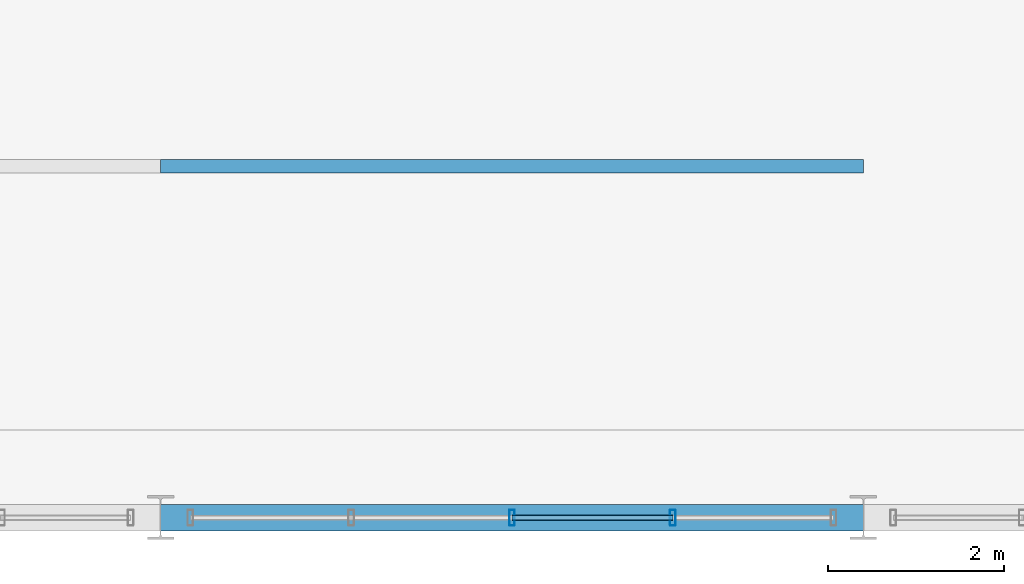
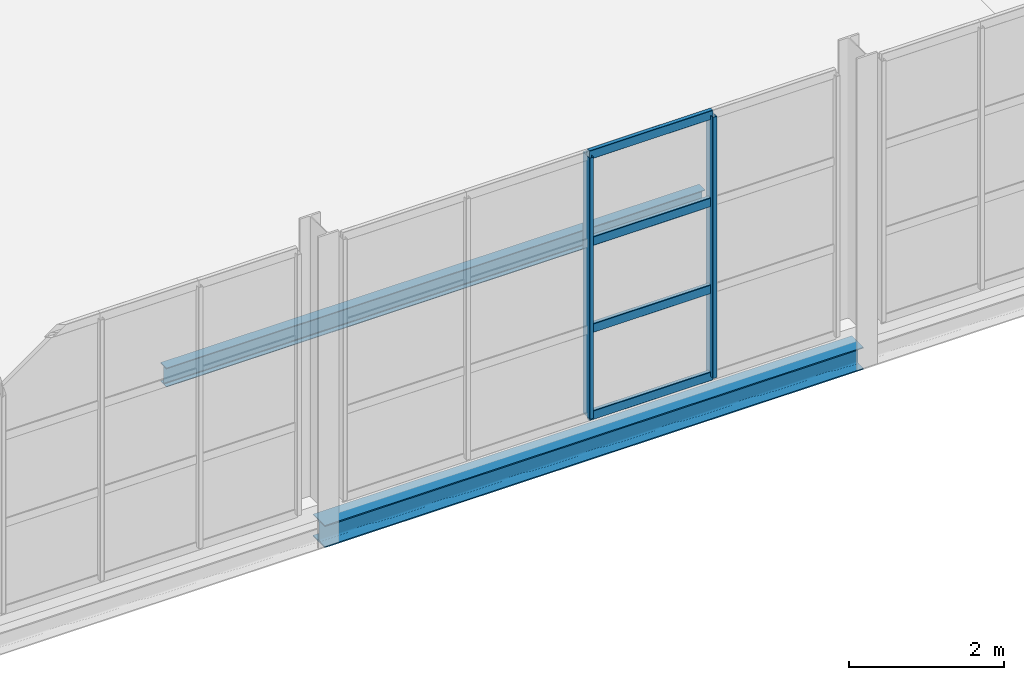
# One storey, part 104 of 153: 6 members, 2 beams, 1 element without a shape of its own.
"""IFC4 building model written with IfcOpenShell, lengths in metres."""

from ifc_helpers import new_model, si_unit, derived_unit, direction, frame, origin, origin_2d, place, context, subcontext, project, spatial, hollow_rectangle, i_section, extrude, material, material_profile, profile_set, type_object, element, aggregate, save


model = new_model("IFC4")

# Units and contexts
model_context = context("Model", 3, precision=1e-05, world=origin(), true_north=direction((0.0, 1.0)))
body_context = subcontext(model_context, "Body", "Model", "MODEL_VIEW")
ifc_project = project(units=[si_unit("LENGTHUNIT", "METRE"), si_unit("AREAUNIT", "SQUARE_METRE"), si_unit("VOLUMEUNIT", "CUBIC_METRE"), si_unit("PLANEANGLEUNIT", "RADIAN"), si_unit("MASSUNIT", "GRAM", prefix="KILO"), derived_unit("THERMALTRANSMITTANCEUNIT", [(si_unit("POWERUNIT", "WATT"), 1), (si_unit("LENGTHUNIT", "METRE"), -2), (si_unit("THERMODYNAMICTEMPERATUREUNIT", "KELVIN"), -1)])], contexts=[model_context])

# Site, building, storey
site_placement = place(None, origin())
site = spatial("IfcSite", under=ifc_project, at=site_placement, CompositionType="ELEMENT")
building_placement = place(site_placement, origin())
building = spatial("IfcBuilding", under=site, at=building_placement, Name="Keldorne Ridge Multi-Sports Centre", CompositionType="ELEMENT")
storey_placement = place(building_placement, frame((0.0, 0.0, 9.60009765625)))
storey = spatial("IfcBuildingStorey", under=building, at=storey_placement, Name="L02", CompositionType="ELEMENT", Elevation=9.60009765625)

# Beams
ifc_material_1 = material(Name="Steel S355", Category="steel")
ifc_material_profile_1 = material_profile(ifc_material_1, i_section(OverallWidth=0.14990234375, OverallDepth=0.300048828125, WebThickness=0.007080078125, FlangeThickness=0.0107421875, FilletRadius=0.014892578125, at=origin_2d()), Name="IPE 300")
ifc_profile_set_1 = profile_set([ifc_material_profile_1], Name="Steel S355")
beam_type_1 = type_object("IfcBeamType", Name="BM-J-02", PredefinedType="JOIST", material=ifc_profile_set_1)
beam_1_placement = place(storey_placement, frame((144.0, 10.0, -0.39013671875), z_axis=(1.0, 0.0, 0.0), x_axis=(0.0, 1.0, 0.0)))
element("IfcBeam", 1, at=beam_1_placement, inside=storey, type_object=beam_type_1, Name="L02 Stacked Courts beam 6.2", PredefinedType="JOIST", context=body_context, shape_type="SweptSolid", body=[
    extrude(i_section(OverallWidth=0.14990234375, OverallDepth=0.300048828125, WebThickness=0.007080078125, FlangeThickness=0.0107421875, FilletRadius=0.014892578125, at=origin_2d()), origin(), (0.0, 0.0, 1.0), 8.0),
])
ifc_material_profile_2 = material_profile(ifc_material_1, i_section(OverallWidth=0.300048828125, OverallDepth=0.35009765625, WebThickness=0.010009765625, FlangeThickness=0.017578125, FilletRadius=0.027099609375, at=origin_2d()), Name="HEA 360")
ifc_profile_set_2 = profile_set([ifc_material_profile_2], Name="Steel S355")
beam_type_2 = type_object("IfcBeamType", Name="BM-SP-03", PredefinedType="SPANDREL", material=ifc_profile_set_2)
beam_2_placement = place(storey_placement, frame((144.0, 6.0, -0.4150390625), z_axis=(1.0, 0.0, 0.0), x_axis=(0.0, 1.0, 0.0)))
element("IfcBeam", 2, at=beam_2_placement, inside=storey, type_object=beam_type_2, Name="L02 Stacked Courts beam 6.1", PredefinedType="SPANDREL", context=body_context, shape_type="SweptSolid", body=[
    extrude(i_section(OverallWidth=0.300048828125, OverallDepth=0.35009765625, WebThickness=0.010009765625, FlangeThickness=0.017578125, FilletRadius=0.027099609375, at=origin_2d()), origin(), (0.0, 0.0, 1.0), 8.0),
])

# Curtain wall, members
ifc_material_2 = material(Name="Anodized aluminium", Category="aluminium")
curtain_wall_type = type_object("IfcCurtainWallType", Name="CW-CW-08", PredefinedType="NOTDEFINED", material=ifc_material_2)
curtain_wall_placement = place(storey_placement, origin())
curtain_wall = element("IfcCurtainWall", 3, at=curtain_wall_placement, inside=storey, type_object=curtain_wall_type, Name="Upper Courts south curtain wall 120", PredefinedType="NOTDEFINED")
ifc_material_profile_3 = material_profile(ifc_material_2, hollow_rectangle(XDim=0.06494140625, YDim=0.179931640625, WallThickness=0.00439453125, InnerFilletRadius=0.00439453125, OuterFilletRadius=0.009033203125, at=origin_2d()), Name="ALU MULLION 180x65x4.5")
ifc_profile_set_3 = profile_set([ifc_material_profile_3], Name="Anodized aluminium")
member_type_1 = type_object("IfcMemberType", Name="MEM-ML-01", PredefinedType="MULLION", material=ifc_profile_set_3)
member_1_placement = place(storey_placement, frame((148.0, 6.0, 0.0), z_axis=(0.0, 0.0, 1.0), x_axis=(1.0, 0.0, 0.0)))
member_1 = element("IfcMember", 4, at=member_1_placement, type_object=member_type_1, Name="CW-120 vertical mullion 3", PredefinedType="MULLION", context=body_context, shape_type="SweptSolid", body=[
    extrude(hollow_rectangle(XDim=0.06494140625, YDim=0.179931640625, WallThickness=0.00439453125, InnerFilletRadius=0.00439453125, OuterFilletRadius=0.009033203125, at=origin_2d()), origin(), (0.0, 0.0, 1.0), 4.099853515625),
])
member_2_placement = place(storey_placement, frame((149.830078125, 6.0, 0.0), z_axis=(0.0, 0.0, 1.0), x_axis=(1.0, 0.0, 0.0)))
member_2 = element("IfcMember", 5, at=member_2_placement, type_object=member_type_1, Name="CW-120 vertical mullion 4", PredefinedType="MULLION", context=body_context, shape_type="SweptSolid", body=[
    extrude(hollow_rectangle(XDim=0.06494140625, YDim=0.179931640625, WallThickness=0.00439453125, InnerFilletRadius=0.00439453125, OuterFilletRadius=0.009033203125, at=origin_2d()), origin(), (0.0, 0.0, 1.0), 4.099853515625),
])
ifc_material_profile_4 = material_profile(ifc_material_2, hollow_rectangle(XDim=0.06494140625, YDim=0.139892578125, WallThickness=0.00439453125, InnerFilletRadius=0.00439453125, OuterFilletRadius=0.009033203125, at=origin_2d()), Name="ALU TRANSOM 140x65x4.5")
ifc_profile_set_4 = profile_set([ifc_material_profile_4], Name="Anodized aluminium")
member_type_2 = type_object("IfcMemberType", Name="MEM-TR-01", PredefinedType="USERDEFINED", material=ifc_profile_set_4)
member_3_placement = place(storey_placement, frame((148.0, 6.0, 0.0), z_axis=(1.0, 0.0, 0.0), x_axis=(0.0, 1.0, 0.0)))
member_3 = element("IfcMember", 6, at=member_3_placement, type_object=member_type_2, Name="CW-120 transom 3.1", ObjectType="TRANSOM", PredefinedType="USERDEFINED", context=body_context, shape_type="SweptSolid", body=[
    extrude(hollow_rectangle(XDim=0.06494140625, YDim=0.139892578125, WallThickness=0.00439453125, InnerFilletRadius=0.00439453125, OuterFilletRadius=0.009033203125, at=origin_2d()), origin(), (0.0, 0.0, 1.0), 1.830078125),
])
member_4_placement = place(storey_placement, frame((148.0, 6.0, 1.36669921875), z_axis=(1.0, 0.0, 0.0), x_axis=(0.0, 1.0, 0.0)))
member_4 = element("IfcMember", 7, at=member_4_placement, type_object=member_type_2, Name="CW-120 transom 3.2", ObjectType="TRANSOM", PredefinedType="USERDEFINED", context=body_context, shape_type="SweptSolid", body=[
    extrude(hollow_rectangle(XDim=0.06494140625, YDim=0.139892578125, WallThickness=0.00439453125, InnerFilletRadius=0.00439453125, OuterFilletRadius=0.009033203125, at=origin_2d()), origin(), (0.0, 0.0, 1.0), 1.830078125),
])
member_5_placement = place(storey_placement, frame((148.0, 6.0, 2.733154296875), z_axis=(1.0, 0.0, 0.0), x_axis=(0.0, 1.0, 0.0)))
member_5 = element("IfcMember", 8, at=member_5_placement, type_object=member_type_2, Name="CW-120 transom 3.3", ObjectType="TRANSOM", PredefinedType="USERDEFINED", context=body_context, shape_type="SweptSolid", body=[
    extrude(hollow_rectangle(XDim=0.06494140625, YDim=0.139892578125, WallThickness=0.00439453125, InnerFilletRadius=0.00439453125, OuterFilletRadius=0.009033203125, at=origin_2d()), origin(), (0.0, 0.0, 1.0), 1.830078125),
])
member_6_placement = place(storey_placement, frame((148.0, 6.0, 4.099853515625), z_axis=(1.0, 0.0, 0.0), x_axis=(0.0, 1.0, 0.0)))
member_6 = element("IfcMember", 9, at=member_6_placement, type_object=member_type_2, Name="CW-120 transom 3.4", ObjectType="TRANSOM", PredefinedType="USERDEFINED", context=body_context, shape_type="SweptSolid", body=[
    extrude(hollow_rectangle(XDim=0.06494140625, YDim=0.139892578125, WallThickness=0.00439453125, InnerFilletRadius=0.00439453125, OuterFilletRadius=0.009033203125, at=origin_2d()), origin(), (0.0, 0.0, 1.0), 1.830078125),
])
aggregate(curtain_wall, [member_1, member_2, member_3, member_4, member_5, member_6])

save(model, "model.ifc")
